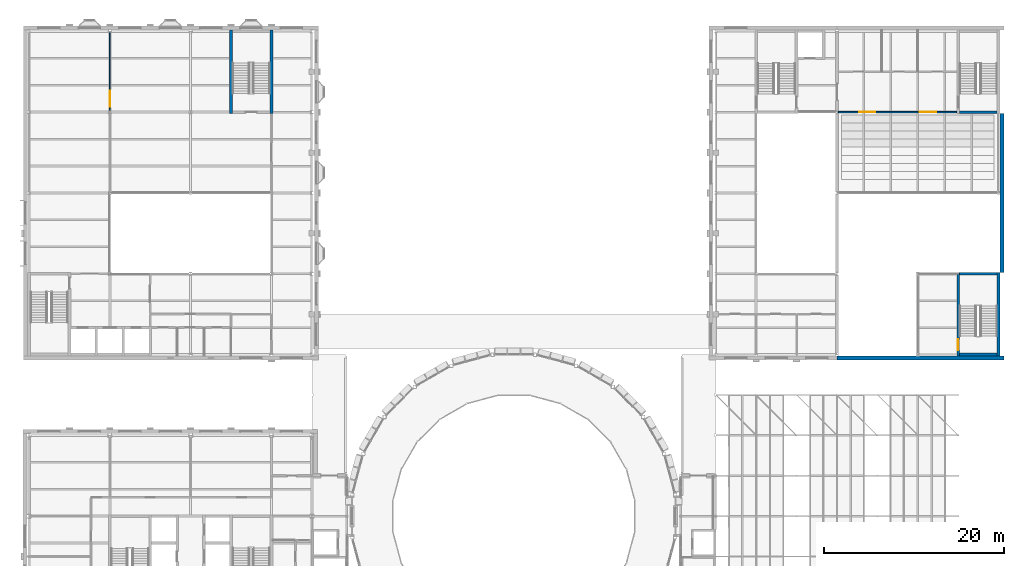
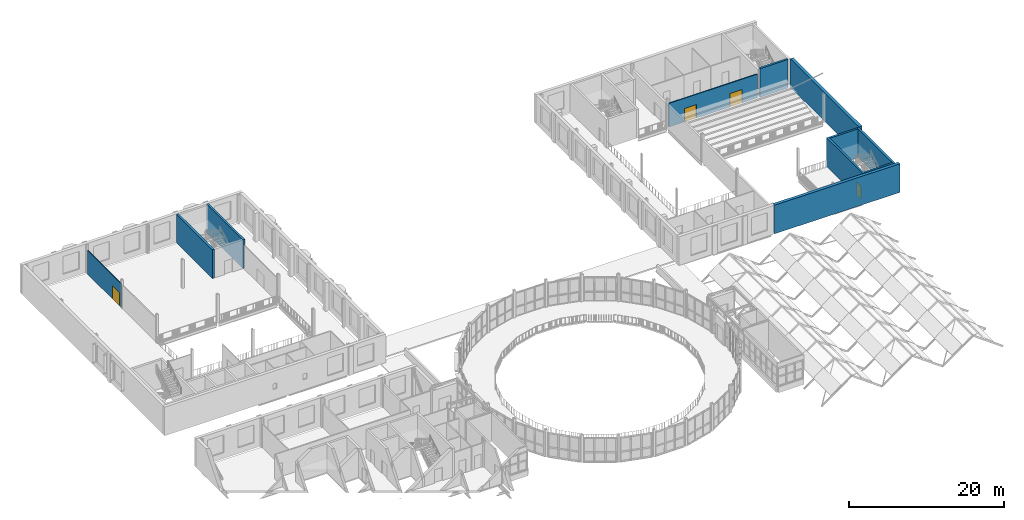
# One storey, part 45 of 74: 11 walls, 4 doors, 4 openings.
"""IFC4 building model written with IfcOpenShell, lengths in metres."""

from ifc_helpers import new_model, si_unit, direction, frame, frame_2d, origin, place, context, subcontext, project, spatial, rectangle, extrude, material, layer, layer_set, type_object, element, fill, save


model = new_model("IFC4")

# Units and contexts
model_context = context("Model", 3, precision=1e-05, world=origin(), true_north=direction((0.0, 1.0)))
body_context = subcontext(model_context, "Body", "Model", "MODEL_VIEW")
ifc_project = project(units=[si_unit("LENGTHUNIT", "METRE"), si_unit("AREAUNIT", "SQUARE_METRE"), si_unit("VOLUMEUNIT", "CUBIC_METRE"), si_unit("PLANEANGLEUNIT", "RADIAN"), si_unit("MASSUNIT", "GRAM", prefix="KILO")], contexts=[model_context])

# Site, building, storey
site_placement = place(None, origin())
site = spatial("IfcSite", under=ifc_project, at=site_placement, CompositionType="ELEMENT")
building_placement = place(site_placement, origin())
building = spatial("IfcBuilding", under=site, at=building_placement, Name="Hortulan Conservatory and Botanical Research Centre", CompositionType="ELEMENT")
storey_placement = place(building_placement, frame((0.0, 0.0, 6.0)))
storey = spatial("IfcBuildingStorey", under=building, at=storey_placement, Name="L01", CompositionType="ELEMENT", Elevation=6.0)

# Wall, opening, door
ifc_material_1 = material(Name="Concrete N40 (40 MPa, AS 3600)", Category="concrete")
ifc_layer_1 = layer(ifc_material_1, 0.300048828125)
ifc_layer_set_1 = layer_set([ifc_layer_1], Name="Core Wall 300 N40 FRL 120/120/120")
wall_type_1 = type_object("IfcWallType", Name="Core Wall 300 N40 FRL 120/120/120", PredefinedType="SHEAR", material=ifc_layer_set_1)
wall_1_placement = place(storey_placement, frame((103.5, 35.85009765625, 0.0), z_axis=(0.0, 0.0, 1.0), x_axis=(0.0, 1.0, 0.0)))
wall_1 = element("IfcWall", 1, at=wall_1_placement, inside=storey, type_object=wall_type_1, Name="Reinforced concrete shaft wall", PredefinedType="SHEAR", context=body_context, shape_type="SweptSolid", body=[
    extrude(rectangle(XDim=9.2998046875, YDim=0.300048828125, at=frame_2d((4.64990234375, 0.0))), origin(), (0.0, 0.0, 1.0), 4.5),
])
opening_1_placement = place(wall_1_placement, frame((0.64990234375, 0.0, 0.0)))
opening_1 = element("IfcOpeningElement", 2, at=opening_1_placement, cuts=wall_1, Name="Opening DT5", PredefinedType="OPENING", context=body_context, shape_type="SweptSolid", body=[
    extrude(rectangle(XDim=1.199951171875, YDim=2.10009765625, at=frame_2d((0.60009765625, 1.050048828125))), frame((0.0, 0.159912109375, 0.0), z_axis=(0.0, -1.0, 0.0), x_axis=(1.0, 0.0, 0.0)), (0.0, 0.0, 1.0), 0.320068359375),
])
ifc_material_2 = material(Name="Steel door leaf, insulated", Category="steel")
door_type_1 = type_object("IfcDoorType", Name="Stair Door 1200x2100 FRL -/120/30", OperationType="NOTDEFINED", PredefinedType="DOOR", material=ifc_material_2)
door_1_placement = place(opening_1_placement, frame((1.199951171875, 0.0, 0.0), z_axis=(0.0, 0.0, 1.0), x_axis=(-1.0, 0.0, 0.0)))
door_1 = element("IfcDoor", 3, at=door_1_placement, inside=storey, type_object=door_type_1, Name="Stair door A2 L01 W to Stage Fly Gallery", OperationType="SINGLE_SWING_RIGHT", OverallHeight=2.10009765625, OverallWidth=1.199951171875, PredefinedType="DOOR", context=body_context, shape_type="SweptSolid", body=[
    extrude(rectangle(XDim=1.199951171875, YDim=2.10009765625, at=frame_2d((0.60009765625, 1.050048828125))), frame((0.0, 0.02490234375, 0.0), z_axis=(0.0, -1.0, 0.0), x_axis=(1.0, 0.0, 0.0)), (0.0, 0.0, 1.0), 0.050048828125),
])
fill(opening_1, door_1)

# Walls
wall_2_placement = place(storey_placement, frame((108.0, 35.85009765625, 0.0), z_axis=(0.0, 0.0, 1.0), x_axis=(0.0, 1.0, 0.0)))
element("IfcWall", 4, at=wall_2_placement, inside=storey, type_object=wall_type_1, Name="Reinforced concrete shaft wall", PredefinedType="SHEAR", context=body_context, shape_type="SweptSolid", body=[
    extrude(rectangle(XDim=9.2998046875, YDim=0.300048828125, at=frame_2d((4.64990234375, 0.0))), origin(), (0.0, 0.0, 1.0), 4.5),
])
for number, where, z_axis, x_axis, name in (
    (5, (103.64990234375, 36.0, 0.0), (0.0, 0.0, 1.0), (1.0, 0.0, 0.0), "Reinforced concrete shaft wall"),
    (6, (103.64990234375, 45.0, 0.0), (0.0, 0.0, 1.0), (1.0, 0.0, 0.0), "Reinforced concrete shaft wall"),
    (7, (103.64990234375, 63.0, 0.0), (0.0, 0.0, 1.0), (1.0, 0.0, 0.0), "Reinforced concrete shaft wall"),
):
    element("IfcWall", number, at=place(storey_placement, frame(where, z_axis=z_axis, x_axis=x_axis)), inside=storey, type_object=wall_type_1, Name=name, PredefinedType="SHEAR", context=body_context, shape_type="SweptSolid", body=[
        extrude(rectangle(XDim=4.2001953125, YDim=0.300048828125, at=frame_2d((2.10009765625, 0.0))), origin(), (0.0, 0.0, 1.0), 4.5),
    ])
ifc_layer_2 = layer(ifc_material_1, 0.300048828125)
ifc_layer_set_2 = layer_set([ifc_layer_2], Name="Core Wall 300 N40 FRL 180/120/120")
wall_type_2 = type_object("IfcWallType", Name="Core Wall 300 N40 FRL 180/120/120", PredefinedType="SHEAR", material=ifc_layer_set_2)
for number, where, z_axis, x_axis, name in (
    (8, (22.5, 62.85009765625, 0.0), (0.0, 0.0, 1.0), (0.0, 1.0, 0.0), "Reinforced concrete shaft wall"),
    (9, (27.0, 62.85009765625, 0.0), (0.0, 0.0, 1.0), (0.0, 1.0, 0.0), "Reinforced concrete shaft wall"),
):
    element("IfcWall", number, at=place(storey_placement, frame(where, z_axis=z_axis, x_axis=x_axis)), inside=storey, type_object=wall_type_2, Name=name, PredefinedType="SHEAR", context=body_context, shape_type="SweptSolid", body=[
        extrude(rectangle(XDim=9.2998046875, YDim=0.300048828125, at=frame_2d((4.64990234375, 0.0))), origin(), (0.0, 0.0, 1.0), 4.5),
    ])

# Wall, openings, doors
ifc_material_3 = material(Name="Fire-rated plasterboard on steel studs", Category="steel")
ifc_layer_3 = layer(ifc_material_3, 0.14990234375)
ifc_layer_set_3 = layer_set([ifc_layer_3], Name="Lobby Partition 150")
wall_type_3 = type_object("IfcWallType", Name="Lobby Partition 150", PredefinedType="PARTITIONING", material=ifc_layer_set_3)
wall_3_placement = place(storey_placement, frame((90.16455078125, 63.0, 0.0), z_axis=(0.0, 0.0, 1.0), x_axis=(1.0, 0.0, 0.0)))
wall_3 = element("IfcWall", 10, at=wall_3_placement, inside=storey, type_object=wall_type_3, Name="Partition Auditorium Circle and Circle Rear Lobby L01", PredefinedType="PARTITIONING", context=body_context, shape_type="SweptSolid", body=[
    extrude(rectangle(XDim=13.175537109375, YDim=0.14990234375, at=frame_2d((6.587890625, 0.0))), origin(), (0.0, 0.0, 1.0), 3.718017578125),
])
opening_2_placement = place(wall_3_placement, frame((2.294921875, 0.0, 0.0)))
opening_2 = element("IfcOpeningElement", 11, at=opening_2_placement, cuts=wall_3, Name="Opening DL3", PredefinedType="OPENING", context=body_context, shape_type="SweptSolid", body=[
    extrude(rectangle(XDim=1.800048828125, YDim=2.10009765625, at=frame_2d((0.89990234375, 1.050048828125))), frame((0.0, 0.0849609375, 0.0), z_axis=(0.0, -1.0, 0.0), x_axis=(1.0, 0.0, 0.0)), (0.0, 0.0, 1.0), 0.169921875),
])
opening_3_placement = place(wall_3_placement, frame((9.076171875, 0.0, 0.0)))
opening_3 = element("IfcOpeningElement", 12, at=opening_3_placement, cuts=wall_3, Name="Opening DL3", PredefinedType="OPENING", context=body_context, shape_type="SweptSolid", body=[
    extrude(rectangle(XDim=1.800048828125, YDim=2.10009765625, at=frame_2d((0.89990234375, 1.050048828125))), frame((0.0, 0.0849609375, 0.0), z_axis=(0.0, -1.0, 0.0), x_axis=(1.0, 0.0, 0.0)), (0.0, 0.0, 1.0), 0.169921875),
])
ifc_material_4 = material(Name="Timber door leaves in timber frame", Category="wood")
door_type_2 = type_object("IfcDoorType", Name="Auditorium Escape Door 1800 x 2100", OperationType="DOUBLE_DOOR_SINGLE_SWING", PredefinedType="DOOR", material=ifc_material_4)
door_2_placement = place(opening_2_placement, origin())
door_2 = element("IfcDoor", 13, at=door_2_placement, inside=storey, type_object=door_type_2, Name="Door DL3 Auditorium Circle to Circle Rear Lobby", OperationType="DOUBLE_DOOR_SINGLE_SWING", OverallHeight=2.10009765625, OverallWidth=1.800048828125, PredefinedType="DOOR", context=body_context, shape_type="SweptSolid", body=[
    extrude(rectangle(XDim=1.800048828125, YDim=2.10009765625, at=frame_2d((0.89990234375, 1.050048828125))), frame((0.0, 0.02490234375, 0.0), z_axis=(0.0, -1.0, 0.0), x_axis=(1.0, 0.0, 0.0)), (0.0, 0.0, 1.0), 0.050048828125),
])
fill(opening_2, door_2)
door_3_placement = place(opening_3_placement, origin())
door_3 = element("IfcDoor", 14, at=door_3_placement, inside=storey, type_object=door_type_2, Name="Door DL3 Auditorium Circle to Circle Rear Lobby", OperationType="DOUBLE_DOOR_SINGLE_SWING", OverallHeight=2.10009765625, OverallWidth=1.800048828125, PredefinedType="DOOR", context=body_context, shape_type="SweptSolid", body=[
    extrude(rectangle(XDim=1.800048828125, YDim=2.10009765625, at=frame_2d((0.89990234375, 1.050048828125))), frame((0.0, 0.02490234375, 0.0), z_axis=(0.0, -1.0, 0.0), x_axis=(1.0, 0.0, 0.0)), (0.0, 0.0, 1.0), 0.050048828125),
])
fill(opening_3, door_3)

# Wall, opening, door
ifc_material_5 = material(Name="Plasterboard on steel studs", Category="steel")
ifc_layer_4 = layer(ifc_material_5, 0.125)
ifc_layer_set_4 = layer_set([ifc_layer_4], Name="Partition 125")
wall_type_4 = type_object("IfcWallType", Name="Partition 125", PredefinedType="PARTITIONING", material=ifc_layer_set_4)
wall_4_placement = place(storey_placement, frame((9.0, 63.17041015625, 0.0), z_axis=(0.0, 0.0, 1.0), x_axis=(0.0, 1.0, 0.0)))
wall_4 = element("IfcWall", 15, at=wall_4_placement, inside=storey, type_object=wall_type_4, Name="Partition Special Exhibition Gallery and Plant Worlds Permanent Gallery L01", PredefinedType="PARTITIONING", context=body_context, shape_type="SweptSolid", body=[
    extrude(rectangle(XDim=8.6591796875, YDim=0.125, at=frame_2d((4.32958984375, 0.0))), origin(), (0.0, 0.0, 1.0), 3.718017578125),
])
opening_4_placement = place(wall_4_placement, frame((0.434326171875, 0.0, 0.0)))
opening_4 = element("IfcOpeningElement", 16, at=opening_4_placement, cuts=wall_4, Name="Opening DL1", PredefinedType="OPENING", context=body_context, shape_type="SweptSolid", body=[
    extrude(rectangle(XDim=1.800048828125, YDim=2.10009765625, at=frame_2d((0.89990234375, 1.050048828125))), frame((0.0, 0.072509765625, 0.0), z_axis=(0.0, -1.0, 0.0), x_axis=(1.0, 0.0, 0.0)), (0.0, 0.0, 1.0), 0.14501953125),
])
ifc_material_6 = material(Name="Glazed aluminium door leaves in aluminium frame", Category="aluminium")
door_type_3 = type_object("IfcDoorType", Name="Glazed Double Door 1800 x 2100", OperationType="DOUBLE_DOOR_SINGLE_SWING", PredefinedType="DOOR", material=ifc_material_6)
door_4_placement = place(opening_4_placement, origin())
door_4 = element("IfcDoor", 17, at=door_4_placement, inside=storey, type_object=door_type_3, Name="Door DL1 Special Exhibition Gallery to Plant Worlds Permanent Gallery", OperationType="DOUBLE_DOOR_SINGLE_SWING", OverallHeight=2.10009765625, OverallWidth=1.800048828125, PredefinedType="DOOR", context=body_context, shape_type="SweptSolid", body=[
    extrude(rectangle(XDim=1.800048828125, YDim=2.10009765625, at=frame_2d((0.89990234375, 1.050048828125))), frame((0.0, 0.02490234375, 0.0), z_axis=(0.0, -1.0, 0.0), x_axis=(1.0, 0.0, 0.0)), (0.0, 0.0, 1.0), 0.050048828125),
])
fill(opening_4, door_4)

# Walls
ifc_material_7 = material(Name="Sandstone masonry (Hawkesbury yellow block)", Category="masonry")
ifc_layer_5 = layer(ifc_material_7, 0.449951171875)
ifc_layer_set_5 = layer_set([ifc_layer_5], Name="Sandstone Masonry Cavity Wall 450")
wall_type_5 = type_object("IfcWallType", Name="Sandstone Masonry Cavity Wall 450", PredefinedType="STANDARD", material=ifc_layer_set_5)
wall_5_placement = place(storey_placement, frame((108.6044921875, 35.614501953125, 0.0), z_axis=(0.0, 0.0, 1.0), x_axis=(-1.0, 0.0, 0.0)))
element("IfcWall", 18, at=wall_5_placement, inside=storey, type_object=wall_type_5, Name="E-EW-AUD-L01-HS1", PredefinedType="STANDARD", context=body_context, shape_type="SweptSolid", body=[
    extrude(rectangle(XDim=18.6044921875, YDim=0.449951171875, at=frame_2d((9.30224609375, 0.0))), origin(), (0.0, 0.0, 1.0), 4.5),
])
wall_6_placement = place(storey_placement, frame((108.37939453125, 62.85009765625, 0.0), z_axis=(0.0, 0.0, 1.0), x_axis=(0.0, -1.0, 0.0)))
element("IfcWall", 19, at=wall_6_placement, inside=storey, type_object=wall_type_5, Name="E-EW-AUD-L01-HE3p1", PredefinedType="STANDARD", context=body_context, shape_type="SweptSolid", body=[
    extrude(rectangle(XDim=17.7001953125, YDim=0.449951171875, at=frame_2d((8.85009765625, 0.0))), origin(), (0.0, 0.0, 1.0), 4.5),
])

save(model, "model.ifc")
